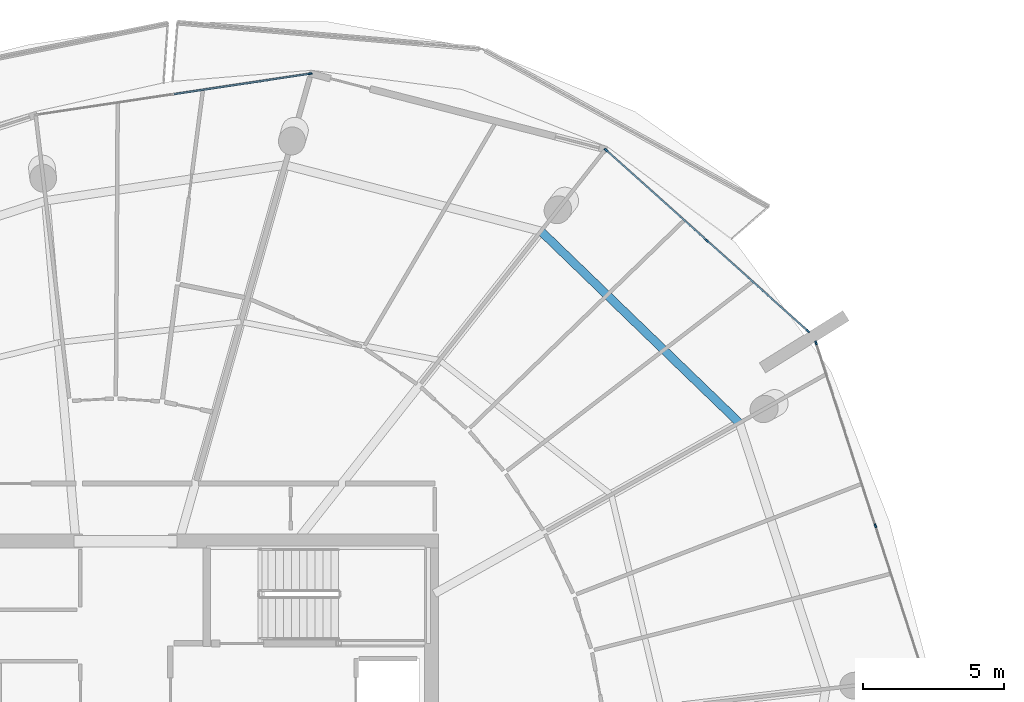
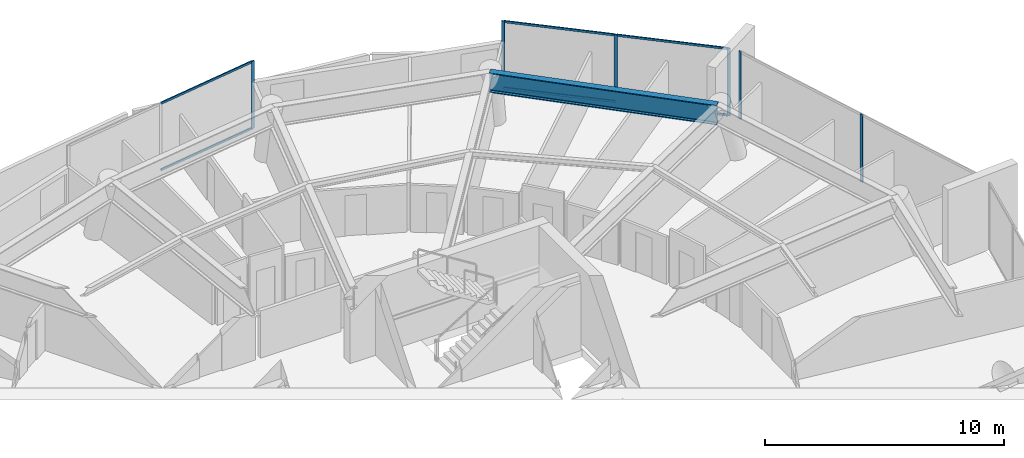
# One storey, part 14 of 27: 12 members, 1 beam, 3 elements without a shape of their own.
"""IFC4 building model written with IfcOpenShell, lengths in metres."""

from ifc_helpers import new_model, si_unit, direction, frame, origin, origin_2d, place, context, subcontext, project, spatial, rectangle, i_section, extrude, material, layer, layer_set, material_profile, profile_set, type_object, element, aggregate, save


model = new_model("IFC4")

# Units and contexts
model_context = context("Model", 3, precision=1e-05, world=origin(), true_north=direction((0.0, 1.0)))
body_context = subcontext(model_context, "Body", "Model", "MODEL_VIEW")
ifc_project = project(units=[si_unit("LENGTHUNIT", "METRE"), si_unit("AREAUNIT", "SQUARE_METRE"), si_unit("VOLUMEUNIT", "CUBIC_METRE"), si_unit("PLANEANGLEUNIT", "RADIAN"), si_unit("MASSUNIT", "GRAM", prefix="KILO")], contexts=[model_context])

# Site, building, storey
site_placement = place(None, origin())
site = spatial("IfcSite", under=ifc_project, at=site_placement, CompositionType="ELEMENT")
building_placement = place(site_placement, origin())
building = spatial("IfcBuilding", under=site, at=building_placement, Name="Kazma Halo Residences", CompositionType="ELEMENT")
storey_placement = place(building_placement, frame((0.0, 0.0, 306.0)))
storey = spatial("IfcBuildingStorey", under=building, at=storey_placement, Name="L77", CompositionType="ELEMENT", Elevation=306.0)

# Beam
ifc_material_1 = material(Name="Steel S355", Category="steel")
ifc_material_profile_1 = material_profile(ifc_material_1, i_section(OverallWidth=0.300048828125, OverallDepth=1.0, WebThickness=0.01904296875, FlangeThickness=0.0400390625, FilletRadius=0.02587890625, at=origin_2d()), Name="W1000x371")
ifc_profile_set_1 = profile_set([ifc_material_profile_1], Name="Steel S355")
beam_type = type_object("IfcBeamType", Name="BM-TRANS-W1000B", PredefinedType="BEAM", material=ifc_profile_set_1)
beam_placement = place(storey_placement, frame((70.24169921875, 54.455810546875, 2.949951171875), z_axis=(-0.719349543053, 0.694648281441, 0.0), x_axis=(-0.694648281441, -0.719349543053, 0.0)))
element("IfcBeam", 1, at=beam_placement, inside=storey, type_object=beam_type, Name="L77 perimeter ring beam 01", PredefinedType="BEAM", context=body_context, shape_type="SweptSolid", body=[
    extrude(i_section(OverallWidth=0.300048828125, OverallDepth=1.0, WebThickness=0.01904296875, FlangeThickness=0.0400390625, FilletRadius=0.02587890625, at=origin_2d()), origin(), (0.0, 0.0, 1.0), 9.8046875),
])

# Curtain wall, members
ifc_material_2 = material(Name="Aluminium AW-6063 T6 and Triple-Silver Low-E Glass", Category="aluminium")
ifc_layer = layer(ifc_material_2, 0.139892578125)
ifc_layer_set = layer_set([ifc_layer], Name="Aluminium AW-6063 T6 and Triple-Silver Low-E Glass")
curtain_wall_type = type_object("IfcCurtainWallType", Name="CW-SYS-5", PredefinedType="NOTDEFINED", material=ifc_layer_set)
curtain_wall_1_placement = place(storey_placement, origin())
curtain_wall_1 = element("IfcCurtainWall", 2, at=curtain_wall_1_placement, inside=storey, type_object=curtain_wall_type, Name="L77 unitised curtain wall B01", PredefinedType="NOTDEFINED")
ifc_material_3 = material(Name="Aluminium AW-6063 T6", Category="aluminium")
ifc_material_profile_2 = material_profile(ifc_material_3, rectangle(XDim=0.06005859375, YDim=0.139892578125, at=origin_2d()), Name="CWM-60x140")
ifc_profile_set_2 = profile_set([ifc_material_profile_2], Name="Aluminium AW-6063 T6")
member_type_1 = type_object("IfcMemberType", Name="CW-SYS-5-MUL", PredefinedType="MULLION", material=ifc_profile_set_2)
member_1_placement = place(storey_placement, frame((72.670654296875, 57.720947265625, 0.0), z_axis=(0.0, 0.0, 1.0), x_axis=(-0.667798061868, -0.744342494128, 0.0)))
member_1 = element("IfcMember", 3, at=member_1_placement, type_object=member_type_1, Name="CWS-5 mullion 1", PredefinedType="MULLION", context=body_context, shape_type="SweptSolid", body=[
    extrude(rectangle(XDim=0.06005859375, YDim=0.139892578125, at=origin_2d()), origin(), (0.0, 0.0, 1.0), 3.449951171875),
])
member_2_placement = place(storey_placement, frame((69.086181640625, 60.936767578125, 0.0), z_axis=(0.0, 0.0, 1.0), x_axis=(-0.667798061868, -0.744342494128, 0.0)))
member_2 = element("IfcMember", 4, at=member_2_placement, type_object=member_type_1, Name="CWS-5 mullion 2", PredefinedType="MULLION", context=body_context, shape_type="SweptSolid", body=[
    extrude(rectangle(XDim=0.06005859375, YDim=0.139892578125, at=origin_2d()), origin(), (0.0, 0.0, 1.0), 3.449951171875),
])
member_3_placement = place(storey_placement, frame((65.501708984375, 64.152587890625, 0.0), z_axis=(0.0, 0.0, 1.0), x_axis=(-0.667798061868, -0.744342494128, 0.0)))
member_3 = element("IfcMember", 5, at=member_3_placement, type_object=member_type_1, Name="CWS-5 mullion 3", PredefinedType="MULLION", context=body_context, shape_type="SweptSolid", body=[
    extrude(rectangle(XDim=0.06005859375, YDim=0.139892578125, at=origin_2d()), origin(), (0.0, 0.0, 1.0), 3.449951171875),
])

# Curtain wall, member
curtain_wall_2_placement = place(storey_placement, origin())
curtain_wall_2 = element("IfcCurtainWall", 6, at=curtain_wall_2_placement, inside=storey, type_object=curtain_wall_type, Name="L77 unitised curtain wall B03", PredefinedType="NOTDEFINED")
member_4_placement = place(storey_placement, frame((54.984130859375, 66.865234375, 0.0), z_axis=(0.0, 0.0, 1.0), x_axis=(0.148747721629, -0.98887517681, 0.0)))
member_4 = element("IfcMember", 7, at=member_4_placement, type_object=member_type_1, Name="CWS-5 mullion 1", PredefinedType="MULLION", context=body_context, shape_type="SweptSolid", body=[
    extrude(rectangle(XDim=0.06005859375, YDim=0.139892578125, at=origin_2d()), origin(), (0.0, 0.0, 1.0), 3.449951171875),
])

# Curtain wall, members
curtain_wall_3_placement = place(storey_placement, origin())
curtain_wall_3 = element("IfcCurtainWall", 8, at=curtain_wall_3_placement, inside=storey, type_object=curtain_wall_type, Name="L77 unitised curtain wall B16", PredefinedType="NOTDEFINED")
member_5_placement = place(storey_placement, frame((75.07763671875, 50.798095703125, 0.0), z_axis=(0.0, 0.0, 1.0), x_axis=(-0.951056985452, -0.309015550455, 0.0)))
member_5 = element("IfcMember", 9, at=member_5_placement, type_object=member_type_1, Name="CWS-5 mullion 2", PredefinedType="MULLION", context=body_context, shape_type="SweptSolid", body=[
    extrude(rectangle(XDim=0.06005859375, YDim=0.139892578125, at=origin_2d()), origin(), (0.0, 0.0, 1.0), 3.449951171875),
])
member_6_placement = place(storey_placement, frame((72.966552734375, 57.29541015625, 0.0), z_axis=(0.0, 0.0, 1.0), x_axis=(-0.951056985452, -0.309015550455, 0.0)))
member_6 = element("IfcMember", 10, at=member_6_placement, type_object=member_type_1, Name="CWS-5 mullion 3", PredefinedType="MULLION", context=body_context, shape_type="SweptSolid", body=[
    extrude(rectangle(XDim=0.06005859375, YDim=0.139892578125, at=origin_2d()), origin(), (0.0, 0.0, 1.0), 3.449951171875),
])
aggregate(curtain_wall_3, [member_5, member_6])

# Member
ifc_material_profile_3 = material_profile(ifc_material_3, rectangle(XDim=0.06005859375, YDim=0.10498046875, at=origin_2d()), Name="CWT-60x105")
ifc_profile_set_3 = profile_set([ifc_material_profile_3], Name="Aluminium AW-6063 T6")
member_type_2 = type_object("IfcMemberType", Name="CW-SYS-5-TRN", PredefinedType="USERDEFINED", material=ifc_profile_set_3)
member_7_placement = place(storey_placement, frame((72.648193359375, 57.740966796875, 0.030029296875), z_axis=(-0.744367907751, 0.667769734197, 0.0), x_axis=(-0.667769734197, -0.744367907751, 0.0)))
member_7 = element("IfcMember", 11, at=member_7_placement, type_object=member_type_2, Name="CWS-5 transom 1.1", ObjectType="TRANSOM", PredefinedType="USERDEFINED", context=body_context, shape_type="SweptSolid", body=[
    extrude(rectangle(XDim=0.06005859375, YDim=0.10498046875, at=origin_2d()), origin(), (0.0, 0.0, 1.0), 4.75537109375),
])

member_8_placement = place(storey_placement, frame((72.648193359375, 57.740966796875, 3.419921875), z_axis=(-0.744367907751, 0.667769734197, 0.0), x_axis=(-0.667769734197, -0.744367907751, 0.0)))
member_8 = element("IfcMember", 12, at=member_8_placement, type_object=member_type_2, Name="CWS-5 transom 1.2", ObjectType="TRANSOM", PredefinedType="USERDEFINED", context=body_context, shape_type="SweptSolid", body=[
    extrude(rectangle(XDim=0.06005859375, YDim=0.10498046875, at=origin_2d()), origin(), (0.0, 0.0, 1.0), 4.75537109375),
])

member_9_placement = place(storey_placement, frame((69.063720703125, 60.956787109375, 0.030029296875), z_axis=(-0.744345013421, 0.667795253798, 0.0), x_axis=(-0.667795253798, -0.744345013421, 0.0)))
member_9 = element("IfcMember", 13, at=member_9_placement, type_object=member_type_2, Name="CWS-5 transom 2.1", ObjectType="TRANSOM", PredefinedType="USERDEFINED", context=body_context, shape_type="SweptSolid", body=[
    extrude(rectangle(XDim=0.06005859375, YDim=0.10498046875, at=origin_2d()), origin(), (0.0, 0.0, 1.0), 4.75537109375),
])

member_10_placement = place(storey_placement, frame((69.063720703125, 60.956787109375, 3.419921875), z_axis=(-0.744345013421, 0.667795253798, 0.0), x_axis=(-0.667795253798, -0.744345013421, 0.0)))
member_10 = element("IfcMember", 14, at=member_10_placement, type_object=member_type_2, Name="CWS-5 transom 2.2", ObjectType="TRANSOM", PredefinedType="USERDEFINED", context=body_context, shape_type="SweptSolid", body=[
    extrude(rectangle(XDim=0.06005859375, YDim=0.10498046875, at=origin_2d()), origin(), (0.0, 0.0, 1.0), 4.75537109375),
])

aggregate(curtain_wall_1, [member_1, member_2, member_3, member_7, member_8, member_9, member_10])

member_11_placement = place(storey_placement, frame((54.95458984375, 66.860595703125, 0.030029296875), z_axis=(-0.988875801391, -0.148743569353, 0.0), x_axis=(0.148743569353, -0.988875801391, 0.0)))
member_11 = element("IfcMember", 15, at=member_11_placement, type_object=member_type_2, Name="CWS-5 transom 1.1", ObjectType="TRANSOM", PredefinedType="USERDEFINED", context=body_context, shape_type="SweptSolid", body=[
    extrude(rectangle(XDim=0.06005859375, YDim=0.10498046875, at=origin_2d()), origin(), (0.0, 0.0, 1.0), 4.856689453125),
])

member_12_placement = place(storey_placement, frame((54.95458984375, 66.860595703125, 3.419921875), z_axis=(-0.988875801391, -0.148743569353, 0.0), x_axis=(0.148743569353, -0.988875801391, 0.0)))
member_12 = element("IfcMember", 16, at=member_12_placement, type_object=member_type_2, Name="CWS-5 transom 1.2", ObjectType="TRANSOM", PredefinedType="USERDEFINED", context=body_context, shape_type="SweptSolid", body=[
    extrude(rectangle(XDim=0.06005859375, YDim=0.10498046875, at=origin_2d()), origin(), (0.0, 0.0, 1.0), 4.856689453125),
])

aggregate(curtain_wall_2, [member_4, member_11, member_12])

save(model, "model.ifc")
